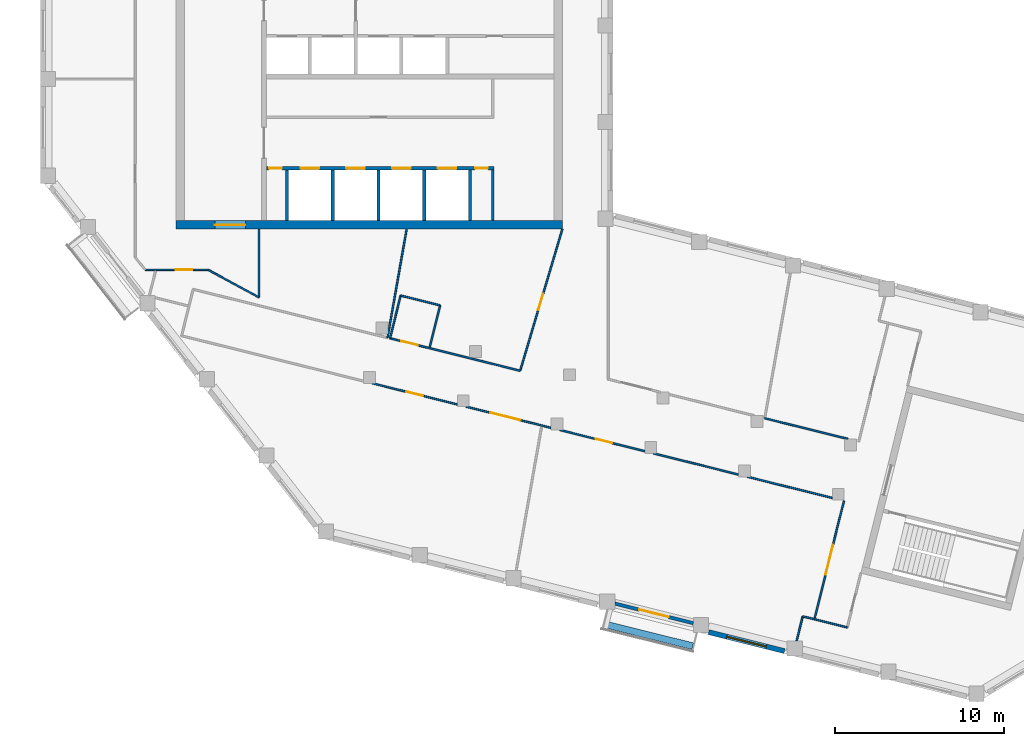
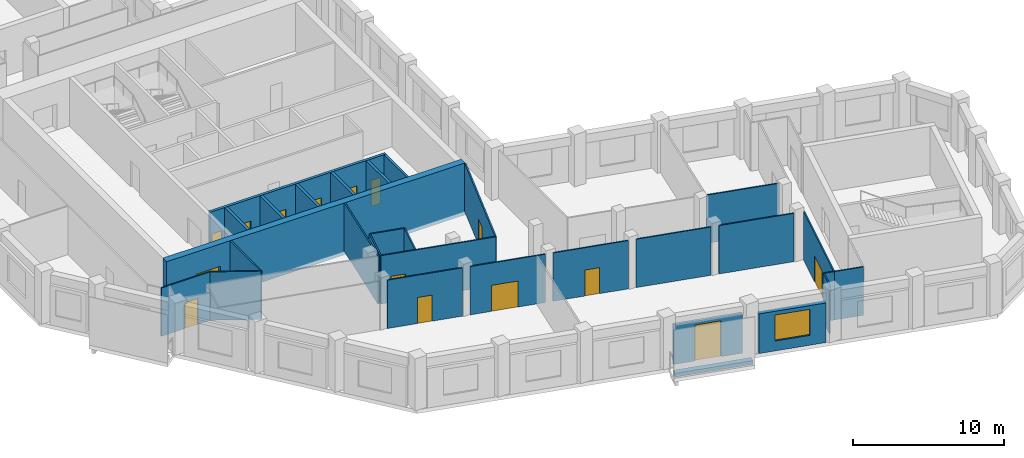
# One storey, part 3 of 8: 30 walls, 15 doors, 1 window, 16 openings.
"""IFC4 building model written with IfcOpenShell, lengths in metres."""

from ifc_helpers import new_model, si_unit, direction, frame, frame_2d, origin, place, context, subcontext, project, spatial, rectangle, extrude, material, layer, layer_set, type_object, element, fill, save


model = new_model("IFC4")

# Units and contexts
model_context = context("Model", 3, precision=1e-05, world=origin(), true_north=direction((0.0, 1.0)))
body_context = subcontext(model_context, "Body", "Model", "MODEL_VIEW")
ifc_project = project(units=[si_unit("LENGTHUNIT", "METRE"), si_unit("AREAUNIT", "SQUARE_METRE"), si_unit("VOLUMEUNIT", "CUBIC_METRE"), si_unit("PLANEANGLEUNIT", "RADIAN"), si_unit("MASSUNIT", "GRAM", prefix="KILO")], contexts=[model_context])

# Site, building, storey
site_placement = place(None, origin())
site = spatial("IfcSite", under=ifc_project, at=site_placement, CompositionType="ELEMENT")
building_placement = place(site_placement, origin())
building = spatial("IfcBuilding", under=site, at=building_placement, Name="Meshkara Civic Tower", CompositionType="ELEMENT")
storey_placement = place(building_placement, frame((0.0, 0.0, 379.199951171875)))
storey = spatial("IfcBuildingStorey", under=building, at=storey_placement, Name="L87", CompositionType="ELEMENT", Elevation=379.199951171875)

# Wall
ifc_material_1 = material(Name="Blockwork", Category="masonry")
ifc_layer_1 = layer(ifc_material_1, 0.14990234375)
ifc_layer_set_1 = layer_set([ifc_layer_1], Name="Core partition 150")
wall_type_1 = type_object("IfcWallType", Name="Core partition 150", PredefinedType="PARTITIONING", material=ifc_layer_set_1)
wall_1_placement = place(storey_placement, frame((26.699951171875, 14.60009765625, 0.0), z_axis=(0.0, 0.0, 1.0), x_axis=(0.0, 1.0, 0.0)))
element("IfcWall", 1, at=wall_1_placement, inside=storey, type_object=wall_type_1, Name="L87-C024", PredefinedType="PARTITIONING", context=body_context, shape_type="SweptSolid", body=[
    extrude(rectangle(XDim=3.0, YDim=0.14990234375, at=frame_2d((1.5, 0.0))), origin(), (0.0, 0.0, 1.0), 3.900146484375),
])

# Wall, opening, door
ifc_material_2 = material(Name="Concrete C50", Category="concrete")
ifc_layer_2 = layer(ifc_material_2, 0.5)
ifc_layer_set_2 = layer_set([ifc_layer_2], Name="Core ring wall 500 C50")
wall_type_2 = type_object("IfcWallType", Name="Core ring wall 500 C50", PredefinedType="SHEAR", material=ifc_layer_set_2)
wall_2_placement = place(storey_placement, frame((8.0, 14.35009765625, -0.300048828125), z_axis=(0.0, 0.0, 1.0), x_axis=(1.0, 0.0, 0.0)))
wall_2 = element("IfcWall", 2, at=wall_2_placement, inside=storey, type_object=wall_type_2, Name="L87-C001", PredefinedType="SHEAR", context=body_context, shape_type="SweptSolid", body=[
    extrude(rectangle(XDim=22.800048828125, YDim=0.5, at=frame_2d((11.39990234375, 0.0))), origin(), (0.0, 0.0, 1.0), 4.2001953125),
])
opening_1_placement = place(wall_2_placement, frame((2.300048828125, 0.0, 0.300048828125)))
opening_1 = element("IfcOpeningElement", 3, at=opening_1_placement, cuts=wall_2, Name="Opening L87-K021", PredefinedType="OPENING", context=body_context, shape_type="SweptSolid", body=[
    extrude(rectangle(XDim=1.800048828125, YDim=2.10009765625, at=frame_2d((0.89990234375, 1.050048828125))), frame((0.0, 0.260009765625, 0.0), z_axis=(0.0, -1.0, 0.0), x_axis=(1.0, 0.0, 0.0)), (0.0, 0.0, 1.0), 0.52001953125),
])
ifc_material_3 = material(Name="Fire-rated door leaf in steel frame", Category="steel")
door_type_1 = type_object("IfcDoorType", Name="Core double door 1800 EI 60", OperationType="DOUBLE_DOOR_SINGLE_SWING", PredefinedType="DOOR", material=ifc_material_3)
door_1_placement = place(opening_1_placement, origin())
door_1 = element("IfcDoor", 4, at=door_1_placement, inside=storey, type_object=door_type_1, Name="L87-K021", OperationType="DOUBLE_DOOR_SINGLE_SWING", OverallHeight=2.10009765625, OverallWidth=1.800048828125, PredefinedType="DOOR", context=body_context, shape_type="SweptSolid", body=[
    extrude(rectangle(XDim=1.800048828125, YDim=2.10009765625, at=frame_2d((0.89990234375, 1.050048828125))), frame((0.0, 0.02490234375, 0.0), z_axis=(0.0, -1.0, 0.0), x_axis=(1.0, 0.0, 0.0)), (0.0, 0.0, 1.0), 0.050048828125),
])
fill(opening_1, door_1)

ifc_material_4 = material(Name="Corridor wall 100")
ifc_layer_3 = layer(ifc_material_4, 0.10009765625)
ifc_layer_set_3 = layer_set([ifc_layer_3], Name="Corridor wall 100")
wall_type_3 = type_object("IfcWallType", Name="Corridor wall 100", PredefinedType="PARTITIONING", material=ifc_layer_set_3)
wall_3_placement = place(storey_placement, frame((6.18603515625, 11.699951171875, 0.0), z_axis=(0.0, 0.0, 1.0), x_axis=(1.0, 0.0, 0.0)))
wall_3 = element("IfcWall", 5, at=wall_3_placement, inside=storey, type_object=wall_type_3, Name="L87-W006", PredefinedType="PARTITIONING", context=body_context, shape_type="SweptSolid", body=[
    extrude(rectangle(XDim=3.7138671875, YDim=0.10009765625, at=frame_2d((1.85693359375, 0.0))), origin(), (0.0, 0.0, 1.0), 3.900146484375),
])
opening_2_placement = place(wall_3_placement, frame((1.791015625, 0.0, 0.0)))
opening_2 = element("IfcOpeningElement", 6, at=opening_2_placement, cuts=wall_3, Name="Opening L87-D008", PredefinedType="OPENING", context=body_context, shape_type="SweptSolid", body=[
    extrude(rectangle(XDim=1.0, YDim=2.10009765625, at=frame_2d((0.5, 1.050048828125))), frame((0.0, 0.06005859375, 0.0), z_axis=(0.0, -1.0, 0.0), x_axis=(1.0, 0.0, 0.0)), (0.0, 0.0, 1.0), 0.1201171875),
])
ifc_material_5 = material(Name="Door 1000 x 2100")
door_type_2 = type_object("IfcDoorType", Name="Door 1000 x 2100", OperationType="SINGLE_SWING_LEFT", PredefinedType="DOOR", material=ifc_material_5)
door_2_placement = place(opening_2_placement, origin())
door_2 = element("IfcDoor", 7, at=door_2_placement, inside=storey, type_object=door_type_2, Name="L87-D008", OperationType="SINGLE_SWING_LEFT", OverallHeight=2.10009765625, OverallWidth=1.0, PredefinedType="DOOR", context=body_context, shape_type="SweptSolid", body=[
    extrude(rectangle(XDim=1.0, YDim=2.10009765625, at=frame_2d((0.5, 1.050048828125))), frame((0.0, 0.02490234375, 0.0), z_axis=(0.0, -1.0, 0.0), x_axis=(1.0, 0.0, 0.0)), (0.0, 0.0, 1.0), 0.050048828125),
])
fill(opening_2, door_2)

# Walls
wall_4_placement = place(storey_placement, frame((9.89990234375, 11.699951171875, 0.0), z_axis=(0.0, 0.0, 1.0), x_axis=(0.87965147249, -0.475618846291, 0.0)))
element("IfcWall", 8, at=wall_4_placement, inside=storey, type_object=wall_type_3, Name="L87-W009", PredefinedType="PARTITIONING", context=body_context, shape_type="SweptSolid", body=[
    extrude(rectangle(XDim=3.410400390625, YDim=0.10009765625, at=frame_2d((1.705078125, 0.0))), origin(), (0.0, 0.0, 1.0), 3.900146484375),
])
wall_5_placement = place(storey_placement, frame((12.89990234375, 10.077880859375, 0.0), z_axis=(0.0, 0.0, 1.0), x_axis=(0.0, 1.0, 0.0)))
element("IfcWall", 9, at=wall_5_placement, inside=storey, type_object=wall_type_3, Name="L87-W014", PredefinedType="PARTITIONING", context=body_context, shape_type="SweptSolid", body=[
    extrude(rectangle(XDim=4.022216796875, YDim=0.10009765625, at=frame_2d((2.01123046875, 0.0))), origin(), (0.0, 0.0, 1.0), 3.900146484375),
])

# Wall, opening, door
wall_6_placement = place(storey_placement, frame((19.5859375, 5.010009765625, 0.0), z_axis=(0.0, 0.0, 1.0), x_axis=(0.970303347181, -0.241891327769, 0.0)))
wall_6 = element("IfcWall", 10, at=wall_6_placement, inside=storey, type_object=wall_type_3, Name="L87-W015", PredefinedType="PARTITIONING", context=body_context, shape_type="SweptSolid", body=[
    extrude(rectangle(XDim=5.171630859375, YDim=0.10009765625, at=frame_2d((2.5859375, 0.0))), origin(), (0.0, 0.0, 1.0), 3.900146484375),
])
opening_3_placement = place(wall_6_placement, frame((2.080078125, 0.0, 0.0)))
opening_3 = element("IfcOpeningElement", 11, at=opening_3_placement, cuts=wall_6, Name="Opening L87-D003", PredefinedType="OPENING", context=body_context, shape_type="SweptSolid", body=[
    extrude(rectangle(XDim=1.0, YDim=2.10009765625, at=frame_2d((0.5, 1.050048828125))), frame((0.0, 0.06005859375, 0.0), z_axis=(0.0, -1.0, 0.0), x_axis=(1.0, 0.0, 0.0)), (0.0, 0.0, 1.0), 0.1201171875),
])
door_3_placement = place(opening_3_placement, origin())
door_3 = element("IfcDoor", 12, at=door_3_placement, inside=storey, type_object=door_type_2, Name="L87-D003", OperationType="SINGLE_SWING_RIGHT", OverallHeight=2.10009765625, OverallWidth=1.0, PredefinedType="DOOR", context=body_context, shape_type="SweptSolid", body=[
    extrude(rectangle(XDim=1.0, YDim=2.10009765625, at=frame_2d((0.5, 1.050048828125))), frame((0.0, 0.02490234375, 0.0), z_axis=(0.0, -1.0, 0.0), x_axis=(1.0, 0.0, 0.0)), (0.0, 0.0, 1.0), 0.050048828125),
])
fill(opening_3, door_3)

wall_7_placement = place(storey_placement, frame((20.62890625, 7.6630859375, 0.0), z_axis=(0.0, 0.0, 1.0), x_axis=(0.970296588572, -0.241918437093, 0.0)))
wall_7 = element("IfcWall", 13, at=wall_7_placement, inside=storey, type_object=wall_type_3, Name="L87-W019", PredefinedType="PARTITIONING", context=body_context, shape_type="SweptSolid", body=[
    extrude(rectangle(XDim=7.912109375, YDim=0.10009765625, at=frame_2d((3.9560546875, 0.0))), origin(), (0.0, 0.0, 1.0), 3.900146484375),
])
opening_4_placement = place(wall_7_placement, frame((0.679931640625, 0.0, 0.0)))
opening_4 = element("IfcOpeningElement", 14, at=opening_4_placement, cuts=wall_7, Name="Opening L87-D009", PredefinedType="OPENING", context=body_context, shape_type="SweptSolid", body=[
    extrude(rectangle(XDim=1.0, YDim=2.10009765625, at=frame_2d((0.5, 1.050048828125))), frame((0.0, 0.06005859375, 0.0), z_axis=(0.0, -1.0, 0.0), x_axis=(1.0, 0.0, 0.0)), (0.0, 0.0, 1.0), 0.1201171875),
])
door_4_placement = place(opening_4_placement, origin())
door_4 = element("IfcDoor", 15, at=door_4_placement, inside=storey, type_object=door_type_2, Name="L87-D009", OperationType="SINGLE_SWING_LEFT", OverallHeight=2.10009765625, OverallWidth=1.0, PredefinedType="DOOR", context=body_context, shape_type="SweptSolid", body=[
    extrude(rectangle(XDim=1.0, YDim=2.10009765625, at=frame_2d((0.5, 1.050048828125))), frame((0.0, 0.02490234375, 0.0), z_axis=(0.0, -1.0, 0.0), x_axis=(1.0, 0.0, 0.0)), (0.0, 0.0, 1.0), 0.050048828125),
])
fill(opening_4, door_4)

wall_8_placement = place(storey_placement, frame((25.117919921875, 3.631103515625, 0.0), z_axis=(0.0, 0.0, 1.0), x_axis=(0.970281210621, -0.241980107272, 0.0)))
wall_8 = element("IfcWall", 16, at=wall_8_placement, inside=storey, type_object=wall_type_3, Name="L87-W020", PredefinedType="PARTITIONING", context=body_context, shape_type="SweptSolid", body=[
    extrude(rectangle(XDim=5.170654296875, YDim=0.10009765625, at=frame_2d((2.58544921875, 0.0))), origin(), (0.0, 0.0, 1.0), 3.900146484375),
])
opening_5_placement = place(wall_8_placement, frame((1.47998046875, 0.0, 0.0)))
opening_5 = element("IfcOpeningElement", 17, at=opening_5_placement, cuts=wall_8, Name="Opening L87-D004", PredefinedType="OPENING", context=body_context, shape_type="SweptSolid", body=[
    extrude(rectangle(XDim=1.800048828125, YDim=2.10009765625, at=frame_2d((0.89990234375, 1.050048828125))), frame((0.0, 0.06005859375, 0.0), z_axis=(0.0, -1.0, 0.0), x_axis=(1.0, 0.0, 0.0)), (0.0, 0.0, 1.0), 0.1201171875),
])
ifc_material_6 = material(Name="Door pair 1800 x 2100")
door_type_3 = type_object("IfcDoorType", Name="Door pair 1800 x 2100", OperationType="SINGLE_SWING_LEFT", PredefinedType="DOOR", material=ifc_material_6)
door_5_placement = place(opening_5_placement, origin())
door_5 = element("IfcDoor", 18, at=door_5_placement, inside=storey, type_object=door_type_3, Name="L87-D004", OperationType="DOUBLE_DOOR_SINGLE_SWING", OverallHeight=2.10009765625, OverallWidth=1.800048828125, PredefinedType="DOOR", context=body_context, shape_type="SweptSolid", body=[
    extrude(rectangle(XDim=1.800048828125, YDim=2.10009765625, at=frame_2d((0.89990234375, 1.050048828125))), frame((0.0, 0.02490234375, 0.0), z_axis=(0.0, -1.0, 0.0), x_axis=(1.0, 0.0, 0.0)), (0.0, 0.0, 1.0), 0.050048828125),
])
fill(opening_5, door_5)

wall_9_placement = place(storey_placement, frame((30.64990234375, 2.251953125, 0.0), z_axis=(0.0, 0.0, 1.0), x_axis=(0.970281237599, -0.241979999098, 0.0)))
wall_9 = element("IfcWall", 19, at=wall_9_placement, inside=storey, type_object=wall_type_3, Name="L87-W021", PredefinedType="PARTITIONING", context=body_context, shape_type="SweptSolid", body=[
    extrude(rectangle(XDim=5.169677734375, YDim=0.10009765625, at=frame_2d((2.5849609375, 0.0))), origin(), (0.0, 0.0, 1.0), 3.900146484375),
])
opening_6_placement = place(wall_9_placement, frame((2.179931640625, 0.0, 0.0)))
opening_6 = element("IfcOpeningElement", 20, at=opening_6_placement, cuts=wall_9, Name="Opening L87-D005", PredefinedType="OPENING", context=body_context, shape_type="SweptSolid", body=[
    extrude(rectangle(XDim=1.0, YDim=2.10009765625, at=frame_2d((0.5, 1.050048828125))), frame((0.0, 0.06005859375, 0.0), z_axis=(0.0, -1.0, 0.0), x_axis=(1.0, 0.0, 0.0)), (0.0, 0.0, 1.0), 0.1201171875),
])
door_6_placement = place(opening_6_placement, origin())
door_6 = element("IfcDoor", 21, at=door_6_placement, inside=storey, type_object=door_type_2, Name="L87-D005", OperationType="SINGLE_SWING_LEFT", OverallHeight=2.10009765625, OverallWidth=1.0, PredefinedType="DOOR", context=body_context, shape_type="SweptSolid", body=[
    extrude(rectangle(XDim=1.0, YDim=2.10009765625, at=frame_2d((0.5, 1.050048828125))), frame((0.0, 0.02490234375, 0.0), z_axis=(0.0, -1.0, 0.0), x_axis=(1.0, 0.0, 0.0)), (0.0, 0.0, 1.0), 0.050048828125),
])
fill(opening_6, door_6)

wall_10_placement = place(storey_placement, frame((30.800048828125, 14.10009765625, 0.0), z_axis=(0.0, 0.0, 1.0), x_axis=(-0.286170650389, -0.958178667502, 0.0)))
wall_10 = element("IfcWall", 22, at=wall_10_placement, inside=storey, type_object=wall_type_3, Name="L87-W022", PredefinedType="PARTITIONING", context=body_context, shape_type="SweptSolid", body=[
    extrude(rectangle(XDim=8.715576171875, YDim=0.10009765625, at=frame_2d((4.35791015625, 0.0))), origin(), (0.0, 0.0, 1.0), 3.900146484375),
])
opening_7_placement = place(wall_10_placement, frame((3.97998046875, 0.0, 0.0)))
opening_7 = element("IfcOpeningElement", 23, at=opening_7_placement, cuts=wall_10, Name="Opening L87-D010", PredefinedType="OPENING", context=body_context, shape_type="SweptSolid", body=[
    extrude(rectangle(XDim=1.0, YDim=2.10009765625, at=frame_2d((0.5, 1.050048828125))), frame((0.0, 0.06005859375, 0.0), z_axis=(0.0, -1.0, 0.0), x_axis=(1.0, 0.0, 0.0)), (0.0, 0.0, 1.0), 0.1201171875),
])
door_7_placement = place(opening_7_placement, origin())
door_7 = element("IfcDoor", 24, at=door_7_placement, inside=storey, type_object=door_type_2, Name="L87-D010", OperationType="SINGLE_SWING_LEFT", OverallHeight=2.10009765625, OverallWidth=1.0, PredefinedType="DOOR", context=body_context, shape_type="SweptSolid", body=[
    extrude(rectangle(XDim=1.0, YDim=2.10009765625, at=frame_2d((0.5, 1.050048828125))), frame((0.0, 0.02490234375, 0.0), z_axis=(0.0, -1.0, 0.0), x_axis=(1.0, 0.0, 0.0)), (0.0, 0.0, 1.0), 0.050048828125),
])
fill(opening_7, door_7)

# Walls
for number, where, z_axis, x_axis, name in (
    (25, (36.180908203125, 0.873046875, 0.0), (0.0, 0.0, 1.0), (0.970314526579, -0.241846479217, 0.0), "L87-W025"),
    (26, (41.7119140625, -0.506103515625, 0.0), (0.0, 0.0, 1.0), (0.970314526579, -0.241846479217, 0.0), "L87-W027"),
):
    element("IfcWall", number, at=place(storey_placement, frame(where, z_axis=z_axis, x_axis=x_axis)), inside=storey, type_object=wall_type_3, Name=name, PredefinedType="PARTITIONING", context=body_context, shape_type="SweptSolid", body=[
        extrude(rectangle(XDim=5.16845703125, YDim=0.10009765625, at=frame_2d((2.584228515625, 0.0))), origin(), (0.0, 0.0, 1.0), 3.900146484375),
    ])
wall_11_placement = place(storey_placement, frame((45.669921875, -8.9130859375, 0.0), z_axis=(0.0, 0.0, 1.0), x_axis=(0.970307382734, -0.241875139301, 0.0)))
element("IfcWall", 27, at=wall_11_placement, inside=storey, type_object=wall_type_3, Name="L87-W029", PredefinedType="PARTITIONING", context=body_context, shape_type="SweptSolid", body=[
    extrude(rectangle(XDim=2.00048828125, YDim=0.10009765625, at=frame_2d((1.000244140625, 0.0))), origin(), (0.0, 0.0, 1.0), 3.900146484375),
])

# Wall, opening, door
wall_12_placement = place(storey_placement, frame((47.412109375, -1.927001953125, 0.0), z_axis=(0.0, 0.0, 1.0), x_axis=(-0.241969116819, -0.970283951483, 0.0)))
wall_12 = element("IfcWall", 28, at=wall_12_placement, inside=storey, type_object=wall_type_3, Name="L87-W030", PredefinedType="PARTITIONING", context=body_context, shape_type="SweptSolid", body=[
    extrude(rectangle(XDim=7.199951171875, YDim=0.10009765625, at=frame_2d((3.60009765625, 0.0))), origin(), (0.0, 0.0, 1.0), 3.900146484375),
])
opening_8_placement = place(wall_12_placement, frame((2.679931640625, 0.0, 0.0)))
opening_8 = element("IfcOpeningElement", 29, at=opening_8_placement, cuts=wall_12, Name="Opening L87-D002", PredefinedType="OPENING", context=body_context, shape_type="SweptSolid", body=[
    extrude(rectangle(XDim=1.800048828125, YDim=2.10009765625, at=frame_2d((0.89990234375, 1.050048828125))), frame((0.0, 0.06005859375, 0.0), z_axis=(0.0, -1.0, 0.0), x_axis=(1.0, 0.0, 0.0)), (0.0, 0.0, 1.0), 0.1201171875),
])
door_8_placement = place(opening_8_placement, origin())
door_8 = element("IfcDoor", 30, at=door_8_placement, inside=storey, type_object=door_type_3, Name="L87-D002", OperationType="DOUBLE_DOOR_SINGLE_SWING", OverallHeight=2.10009765625, OverallWidth=1.800048828125, PredefinedType="DOOR", context=body_context, shape_type="SweptSolid", body=[
    extrude(rectangle(XDim=1.800048828125, YDim=2.10009765625, at=frame_2d((0.89990234375, 1.050048828125))), frame((0.0, 0.02490234375, 0.0), z_axis=(0.0, -1.0, 0.0), x_axis=(1.0, 0.0, 0.0)), (0.0, 0.0, 1.0), 0.050048828125),
])
fill(opening_8, door_8)

# Wall
wall_13_placement = place(storey_placement, frame((47.64111328125, 1.72607421875, 0.0), z_axis=(0.0, 0.0, 1.0), x_axis=(-0.970332736998, 0.241773405298, 0.0)))
element("IfcWall", 31, at=wall_13_placement, inside=storey, type_object=wall_type_3, Name="L87-W032", PredefinedType="PARTITIONING", context=body_context, shape_type="SweptSolid", body=[
    extrude(rectangle(XDim=5.050048828125, YDim=0.10009765625, at=frame_2d((2.52490234375, 0.0))), origin(), (0.0, 0.0, 1.0), 3.900146484375),
])

# Wall, opening, window
ifc_material_7 = material(Name="Insulated infill panel with bronze anodised aluminium cladding", Category="aluminium")
ifc_layer_4 = layer(ifc_material_7, 0.300048828125)
ifc_layer_set_4 = layer_set([ifc_layer_4], Name="EXTERNAL INFILL WALL 300")
wall_type_4 = type_object("IfcWallType", Name="EXTERNAL INFILL WALL 300", PredefinedType="SOLIDWALL", material=ifc_layer_set_4)
wall_14_placement = place(storey_placement, frame((39.430908203125, -9.677001953125, 0.0), z_axis=(0.0, 0.0, 1.0), x_axis=(0.970285689791, -0.241962146187, 0.0)))
wall_14 = element("IfcWall", 32, at=wall_14_placement, inside=storey, type_object=wall_type_4, Name="External wall", PredefinedType="SOLIDWALL", context=body_context, shape_type="SweptSolid", body=[
    extrude(rectangle(XDim=4.608154296875, YDim=0.300048828125, at=frame_2d((2.30419921875, 0.0))), origin(), (0.0, 0.0, 1.0), 3.199951171875),
])
opening_9_placement = place(wall_14_placement, frame((1.10400390625, 0.0, 0.800048828125)))
opening_9 = element("IfcOpeningElement", 33, at=opening_9_placement, cuts=wall_14, Name="Opening W7", PredefinedType="OPENING", context=body_context, shape_type="SweptSolid", body=[
    extrude(rectangle(XDim=2.39990234375, YDim=2.10009765625, at=frame_2d((1.199951171875, 1.050048828125))), frame((0.0, 0.159912109375, 0.0), z_axis=(0.0, -1.0, 0.0), x_axis=(1.0, 0.0, 0.0)), (0.0, 0.0, 1.0), 0.320068359375),
])
ifc_material_8 = material(Name="Tinted double glazing", Category="glass")
window_type = type_object("IfcWindowType", Name="WINDOW 2400x2100", PartitioningType="DOUBLE_PANEL_VERTICAL", PredefinedType="WINDOW", material=ifc_material_8)
window_placement = place(opening_9_placement, origin())
window = element("IfcWindow", 34, at=window_placement, inside=storey, type_object=window_type, Name="Window", OverallHeight=2.10009765625, OverallWidth=2.39990234375, PartitioningType="DOUBLE_PANEL_VERTICAL", PredefinedType="WINDOW", context=body_context, shape_type="SweptSolid", body=[
    extrude(rectangle(XDim=2.39990234375, YDim=2.10009765625, at=frame_2d((1.199951171875, 1.050048828125))), frame((0.0, 0.030029296875, 0.0), z_axis=(0.0, -1.0, 0.0), x_axis=(1.0, 0.0, 0.0)), (0.0, 0.0, 1.0), 0.06005859375),
])
fill(opening_9, window)

# Wall, opening, door
ifc_material_9 = material(Name="Insulated infill panel with bronze anodised aluminium cladding", Category="aluminium")
ifc_layer_5 = layer(ifc_material_9, 0.199951171875)
ifc_layer_set_5 = layer_set([ifc_layer_5], Name="LOGGIA BACK WALL 200")
wall_type_5 = type_object("IfcWallType", Name="LOGGIA BACK WALL 200", PredefinedType="SOLIDWALL", material=ifc_layer_set_5)
wall_15_placement = place(storey_placement, frame((33.89306640625, -7.987060546875, 0.0), z_axis=(0.0, 0.0, 1.0), x_axis=(0.970274752233, -0.242006002363, 0.0)))
wall_15 = element("IfcWall", 35, at=wall_15_placement, inside=storey, type_object=wall_type_5, Name="Loggia wall", PredefinedType="SOLIDWALL", context=body_context, shape_type="SweptSolid", body=[
    extrude(rectangle(XDim=4.772705078125, YDim=0.199951171875, at=frame_2d((2.38623046875, 0.0))), origin(), (0.0, 0.0, 1.0), 3.199951171875),
])
opening_10_placement = place(wall_15_placement, frame((1.486083984375, 0.0, 0.0)))
opening_10 = element("IfcOpeningElement", 36, at=opening_10_placement, cuts=wall_15, Name="Opening L87-L003", PredefinedType="OPENING", context=body_context, shape_type="SweptSolid", body=[
    extrude(rectangle(XDim=1.800048828125, YDim=2.89990234375, at=frame_2d((0.89990234375, 1.449951171875))), frame((0.0, 0.10986328125, 0.0), z_axis=(0.0, -1.0, 0.0), x_axis=(1.0, 0.0, 0.0)), (0.0, 0.0, 1.0), 0.219970703125),
])
ifc_material_10 = material(Name="Tinted double glazing", Category="glass")
door_type_4 = type_object("IfcDoorType", Name="LOGGIA DOOR 1800x2900", OperationType="DOUBLE_DOOR_SINGLE_SWING", PredefinedType="DOOR", material=ifc_material_10)
door_9_placement = place(opening_10_placement, origin())
door_9 = element("IfcDoor", 37, at=door_9_placement, inside=storey, type_object=door_type_4, Name="L87-L003", OperationType="DOUBLE_DOOR_SINGLE_SWING", OverallHeight=2.89990234375, OverallWidth=1.800048828125, PredefinedType="DOOR", context=body_context, shape_type="SweptSolid", body=[
    extrude(rectangle(XDim=1.800048828125, YDim=2.89990234375, at=frame_2d((0.89990234375, 1.449951171875))), frame((0.0, 0.02490234375, 0.0), z_axis=(0.0, -1.0, 0.0), x_axis=(1.0, 0.0, 0.0)), (0.0, 0.0, 1.0), 0.050048828125),
])
fill(opening_10, door_9)

# Walls
ifc_material_11 = material(Name="Concrete C40", Category="concrete")
ifc_layer_6 = layer(ifc_material_11, 0.39990234375)
ifc_layer_set_6 = layer_set([ifc_layer_6], Name="PLANTER TRAY")
wall_type_6 = type_object("IfcWallType", Name="PLANTER TRAY", PredefinedType="SOLIDWALL", material=ifc_layer_set_6)
wall_16_placement = place(storey_placement, frame((33.285888671875, -9.2060546875, 0.0), z_axis=(0.0, 0.0, 1.0), x_axis=(0.970292345375, -0.241935455249, 0.0)))
element("IfcWall", 38, at=wall_16_placement, inside=storey, type_object=wall_type_6, Name="Planter", PredefinedType="SOLIDWALL", context=body_context, shape_type="SweptSolid", body=[
    extrude(rectangle(XDim=5.3603515625, YDim=0.39990234375, at=frame_2d((2.68017578125, 0.0))), origin(), (0.0, 0.0, 1.0), 0.300048828125),
])
ifc_material_12 = material(Name="Partition 100")
ifc_layer_7 = layer(ifc_material_12, 0.10009765625)
ifc_layer_set_7 = layer_set([ifc_layer_7], Name="Partition 100")
wall_type_7 = type_object("IfcWallType", Name="Partition 100", PredefinedType="PARTITIONING", material=ifc_layer_set_7)
wall_17_placement = place(storey_placement, frame((20.48291015625, 7.698974609375, 0.0), z_axis=(0.0, 0.0, 1.0), x_axis=(0.173716766884, 0.98479565642, 0.0)))
element("IfcWall", 39, at=wall_17_placement, inside=storey, type_object=wall_type_7, Name="L87-W042", PredefinedType="PARTITIONING", context=body_context, shape_type="SweptSolid", body=[
    extrude(rectangle(XDim=6.5, YDim=0.10009765625, at=frame_2d((3.25, 0.0))), origin(), (0.0, 0.0, 1.0), 3.900146484375),
])
wall_18_placement = place(storey_placement, frame((20.62890625, 7.6630859375, 0.0), z_axis=(0.0, 0.0, 1.0), x_axis=(0.242049385216, 0.970263930648, 0.0)))
element("IfcWall", 40, at=wall_18_placement, inside=storey, type_object=wall_type_7, Name="L87-W043", PredefinedType="PARTITIONING", context=body_context, shape_type="SweptSolid", body=[
    extrude(rectangle(XDim=2.599365234375, YDim=0.10009765625, at=frame_2d((1.2998046875, 0.0))), origin(), (0.0, 0.0, 1.0), 3.900146484375),
])
wall_19_placement = place(storey_placement, frame((21.258056640625, 10.18505859375, 0.0), z_axis=(0.0, 0.0, 1.0), x_axis=(0.970327787359, -0.241793269299, 0.0)))
element("IfcWall", 41, at=wall_19_placement, inside=storey, type_object=wall_type_7, Name="L87-W044", PredefinedType="PARTITIONING", context=body_context, shape_type="SweptSolid", body=[
    extrude(rectangle(XDim=2.399169921875, YDim=0.10009765625, at=frame_2d((1.19970703125, 0.0))), origin(), (0.0, 0.0, 1.0), 3.900146484375),
])
wall_20_placement = place(storey_placement, frame((23.5859375, 9.60498046875, 0.0), z_axis=(0.0, 0.0, 1.0), x_axis=(-0.241611677547, -0.970373019654, 0.0)))
element("IfcWall", 42, at=wall_20_placement, inside=storey, type_object=wall_type_7, Name="L87-W045", PredefinedType="PARTITIONING", context=body_context, shape_type="SweptSolid", body=[
    extrude(rectangle(XDim=2.54931640625, YDim=0.10009765625, at=frame_2d((1.274658203125, 0.0))), origin(), (0.0, 0.0, 1.0), 3.900146484375),
])
wall_21_placement = place(storey_placement, frame((44.616943359375, -10.18310546875, 0.0), z_axis=(0.0, 0.0, 1.0), x_axis=(0.242110761362, 0.970248617228, 0.0)))
element("IfcWall", 43, at=wall_21_placement, inside=storey, type_object=wall_type_7, Name="L87-W048", PredefinedType="PARTITIONING", context=body_context, shape_type="SweptSolid", body=[
    extrude(rectangle(XDim=1.4873046875, YDim=0.10009765625, at=frame_2d((0.74365234375, 0.0))), origin(), (0.0, 0.0, 1.0), 3.900146484375),
])
wall_22_placement = place(storey_placement, frame((44.97705078125, -8.739990234375, 0.0), z_axis=(0.0, 0.0, 1.0), x_axis=(0.970202439735, -0.242295740641, 0.0)))
element("IfcWall", 44, at=wall_22_placement, inside=storey, type_object=wall_type_7, Name="L87-W049", PredefinedType="PARTITIONING", context=body_context, shape_type="SweptSolid", body=[
    extrude(rectangle(XDim=0.718505859375, YDim=0.10009765625, at=frame_2d((0.359375, 0.0))), origin(), (0.0, 0.0, 1.0), 3.900146484375),
])

# Wall, openings, doors
ifc_material_13 = material(Name="Concrete C40/50", Category="concrete")
ifc_layer_8 = layer(ifc_material_13, 0.199951171875)
ifc_layer_set_8 = layer_set([ifc_layer_8], Name="Shaft wall 200 C40/50")
wall_type_8 = type_object("IfcWallType", Name="Shaft wall 200 C40/50", PredefinedType="SOLIDWALL", material=ifc_layer_set_8)
wall_23_placement = place(storey_placement, frame((13.35009765625, 17.699951171875, 0.0), z_axis=(0.0, 0.0, 1.0), x_axis=(1.0, 0.0, 0.0)))
wall_23 = element("IfcWall", 45, at=wall_23_placement, inside=storey, type_object=wall_type_8, Name="L87-C005", PredefinedType="SOLIDWALL", context=body_context, shape_type="SweptSolid", body=[
    extrude(rectangle(XDim=13.4248046875, YDim=0.199951171875, at=frame_2d((6.71240234375, 0.0))), origin(), (0.0, 0.0, 1.0), 3.900146484375),
])
opening_11_placement = place(wall_23_placement, frame((2.0, 0.0, 0.0)))
opening_11 = element("IfcOpeningElement", 46, at=opening_11_placement, cuts=wall_23, Name="Opening L87-K001", PredefinedType="OPENING", context=body_context, shape_type="SweptSolid", body=[
    extrude(rectangle(XDim=1.10009765625, YDim=2.10009765625, at=frame_2d((0.550048828125, 1.050048828125))), frame((0.0, 0.10986328125, 0.0), z_axis=(0.0, -1.0, 0.0), x_axis=(1.0, 0.0, 0.0)), (0.0, 0.0, 1.0), 0.219970703125),
])
opening_12_placement = place(wall_23_placement, frame((4.699951171875, 0.0, 0.0)))
opening_12 = element("IfcOpeningElement", 47, at=opening_12_placement, cuts=wall_23, Name="Opening L87-K002", PredefinedType="OPENING", context=body_context, shape_type="SweptSolid", body=[
    extrude(rectangle(XDim=1.10009765625, YDim=2.10009765625, at=frame_2d((0.550048828125, 1.050048828125))), frame((0.0, 0.10986328125, 0.0), z_axis=(0.0, -1.0, 0.0), x_axis=(1.0, 0.0, 0.0)), (0.0, 0.0, 1.0), 0.219970703125),
])
opening_13_placement = place(wall_23_placement, frame((7.39990234375, 0.0, 0.0)))
opening_13 = element("IfcOpeningElement", 48, at=opening_13_placement, cuts=wall_23, Name="Opening L87-K003", PredefinedType="OPENING", context=body_context, shape_type="SweptSolid", body=[
    extrude(rectangle(XDim=1.10009765625, YDim=2.10009765625, at=frame_2d((0.550048828125, 1.050048828125))), frame((0.0, 0.10986328125, 0.0), z_axis=(0.0, -1.0, 0.0), x_axis=(1.0, 0.0, 0.0)), (0.0, 0.0, 1.0), 0.219970703125),
])
opening_14_placement = place(wall_23_placement, frame((10.10009765625, 0.0, 0.0)))
opening_14 = element("IfcOpeningElement", 49, at=opening_14_placement, cuts=wall_23, Name="Opening L87-K004", PredefinedType="OPENING", context=body_context, shape_type="SweptSolid", body=[
    extrude(rectangle(XDim=1.10009765625, YDim=2.10009765625, at=frame_2d((0.550048828125, 1.050048828125))), frame((0.0, 0.10986328125, 0.0), z_axis=(0.0, -1.0, 0.0), x_axis=(1.0, 0.0, 0.0)), (0.0, 0.0, 1.0), 0.219970703125),
])
opening_15_placement = place(wall_23_placement, frame((0.14990234375, 0.0, 0.0)))
opening_15 = element("IfcOpeningElement", 50, at=opening_15_placement, cuts=wall_23, Name="Opening L87-K009", PredefinedType="OPENING", context=body_context, shape_type="SweptSolid", body=[
    extrude(rectangle(XDim=0.75, YDim=2.10009765625, at=frame_2d((0.375, 1.050048828125))), frame((0.0, 0.10986328125, 0.0), z_axis=(0.0, -1.0, 0.0), x_axis=(1.0, 0.0, 0.0)), (0.0, 0.0, 1.0), 0.219970703125),
])
opening_16_placement = place(wall_23_placement, frame((12.300048828125, 0.0, 0.0)))
opening_16 = element("IfcOpeningElement", 51, at=opening_16_placement, cuts=wall_23, Name="Opening L87-K010", PredefinedType="OPENING", context=body_context, shape_type="SweptSolid", body=[
    extrude(rectangle(XDim=0.75, YDim=2.10009765625, at=frame_2d((0.375, 1.050048828125))), frame((0.0, 0.10986328125, 0.0), z_axis=(0.0, -1.0, 0.0), x_axis=(1.0, 0.0, 0.0)), (0.0, 0.0, 1.0), 0.219970703125),
])
ifc_material_14 = material(Name="Timber door leaf in steel frame", Category="steel")
door_type_5 = type_object("IfcDoorType", Name="Core room door 750", OperationType="SINGLE_SWING_LEFT", PredefinedType="DOOR", material=ifc_material_14)
door_10_placement = place(opening_15_placement, origin())
door_10 = element("IfcDoor", 52, at=door_10_placement, inside=storey, type_object=door_type_5, Name="L87-K009", OperationType="SINGLE_SWING_RIGHT", OverallHeight=2.10009765625, OverallWidth=0.75, PredefinedType="DOOR", context=body_context, shape_type="SweptSolid", body=[
    extrude(rectangle(XDim=0.75, YDim=2.10009765625, at=frame_2d((0.375, 1.050048828125))), frame((0.0, 0.02490234375, 0.0), z_axis=(0.0, -1.0, 0.0), x_axis=(1.0, 0.0, 0.0)), (0.0, 0.0, 1.0), 0.050048828125),
])
fill(opening_15, door_10)
door_11_placement = place(opening_16_placement, origin())
door_11 = element("IfcDoor", 53, at=door_11_placement, inside=storey, type_object=door_type_5, Name="L87-K010", OperationType="SINGLE_SWING_RIGHT", OverallHeight=2.10009765625, OverallWidth=0.75, PredefinedType="DOOR", context=body_context, shape_type="SweptSolid", body=[
    extrude(rectangle(XDim=0.75, YDim=2.10009765625, at=frame_2d((0.375, 1.050048828125))), frame((0.0, 0.02490234375, 0.0), z_axis=(0.0, -1.0, 0.0), x_axis=(1.0, 0.0, 0.0)), (0.0, 0.0, 1.0), 0.050048828125),
])
fill(opening_16, door_11)
ifc_material_15 = material(Name="Stainless steel landing door", Category="steel")
door_type_6 = type_object("IfcDoorType", Name="Lift landing door 1100", OperationType="SLIDING_TO_LEFT", PredefinedType="DOOR", material=ifc_material_15)
door_12_placement = place(opening_11_placement, origin())
door_12 = element("IfcDoor", 54, at=door_12_placement, inside=storey, type_object=door_type_6, Name="L87-K001", OperationType="SLIDING_TO_LEFT", OverallHeight=2.10009765625, OverallWidth=1.10009765625, PredefinedType="DOOR", context=body_context, shape_type="SweptSolid", body=[
    extrude(rectangle(XDim=1.10009765625, YDim=2.10009765625, at=frame_2d((0.550048828125, 1.050048828125))), frame((0.0, 0.02490234375, 0.0), z_axis=(0.0, -1.0, 0.0), x_axis=(1.0, 0.0, 0.0)), (0.0, 0.0, 1.0), 0.050048828125),
])
fill(opening_11, door_12)
door_13_placement = place(opening_12_placement, origin())
door_13 = element("IfcDoor", 55, at=door_13_placement, inside=storey, type_object=door_type_6, Name="L87-K002", OperationType="SLIDING_TO_LEFT", OverallHeight=2.10009765625, OverallWidth=1.10009765625, PredefinedType="DOOR", context=body_context, shape_type="SweptSolid", body=[
    extrude(rectangle(XDim=1.10009765625, YDim=2.10009765625, at=frame_2d((0.550048828125, 1.050048828125))), frame((0.0, 0.02490234375, 0.0), z_axis=(0.0, -1.0, 0.0), x_axis=(1.0, 0.0, 0.0)), (0.0, 0.0, 1.0), 0.050048828125),
])
fill(opening_12, door_13)
door_14_placement = place(opening_13_placement, origin())
door_14 = element("IfcDoor", 56, at=door_14_placement, inside=storey, type_object=door_type_6, Name="L87-K003", OperationType="SLIDING_TO_LEFT", OverallHeight=2.10009765625, OverallWidth=1.10009765625, PredefinedType="DOOR", context=body_context, shape_type="SweptSolid", body=[
    extrude(rectangle(XDim=1.10009765625, YDim=2.10009765625, at=frame_2d((0.550048828125, 1.050048828125))), frame((0.0, 0.02490234375, 0.0), z_axis=(0.0, -1.0, 0.0), x_axis=(1.0, 0.0, 0.0)), (0.0, 0.0, 1.0), 0.050048828125),
])
fill(opening_13, door_14)
door_15_placement = place(opening_14_placement, origin())
door_15 = element("IfcDoor", 57, at=door_15_placement, inside=storey, type_object=door_type_6, Name="L87-K004", OperationType="SLIDING_TO_LEFT", OverallHeight=2.10009765625, OverallWidth=1.10009765625, PredefinedType="DOOR", context=body_context, shape_type="SweptSolid", body=[
    extrude(rectangle(XDim=1.10009765625, YDim=2.10009765625, at=frame_2d((0.550048828125, 1.050048828125))), frame((0.0, 0.02490234375, 0.0), z_axis=(0.0, -1.0, 0.0), x_axis=(1.0, 0.0, 0.0)), (0.0, 0.0, 1.0), 0.050048828125),
])
fill(opening_14, door_15)

# Walls
for number, where, z_axis, x_axis, name in (
    (58, (14.550048828125, 14.60009765625, 0.0), (0.0, 0.0, 1.0), (0.0, 1.0, 0.0), "L87-C012"),
    (59, (17.25, 14.60009765625, 0.0), (0.0, 0.0, 1.0), (0.0, 1.0, 0.0), "L87-C015"),
    (60, (19.949951171875, 14.60009765625, 0.0), (0.0, 0.0, 1.0), (0.0, 1.0, 0.0), "L87-C017"),
    (61, (22.64990234375, 14.60009765625, 0.0), (0.0, 0.0, 1.0), (0.0, 1.0, 0.0), "L87-C021"),
    (62, (25.35009765625, 14.60009765625, 0.0), (0.0, 0.0, 1.0), (0.0, 1.0, 0.0), "L87-C023"),
):
    element("IfcWall", number, at=place(storey_placement, frame(where, z_axis=z_axis, x_axis=x_axis)), inside=storey, type_object=wall_type_8, Name=name, PredefinedType="SOLIDWALL", context=body_context, shape_type="SweptSolid", body=[
        extrude(rectangle(XDim=3.0, YDim=0.199951171875, at=frame_2d((1.5, 0.0))), origin(), (0.0, 0.0, 1.0), 3.900146484375),
    ])

save(model, "model.ifc")
